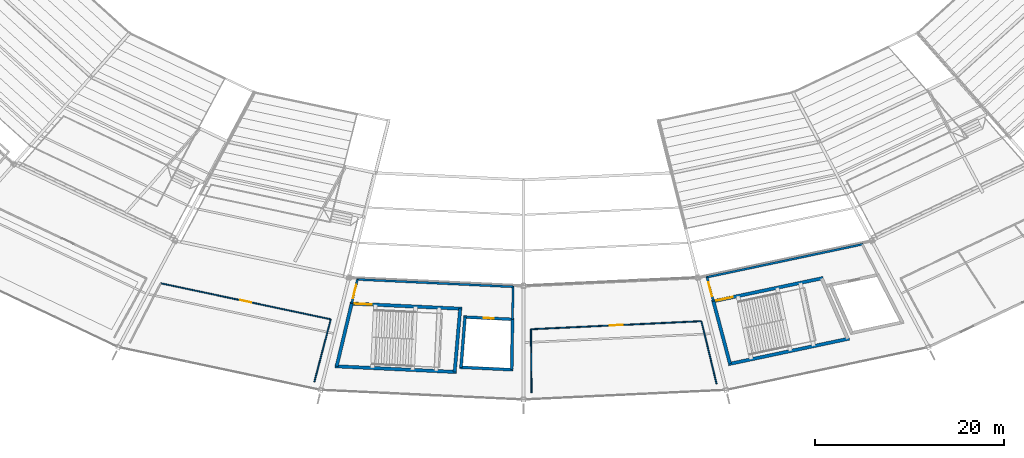
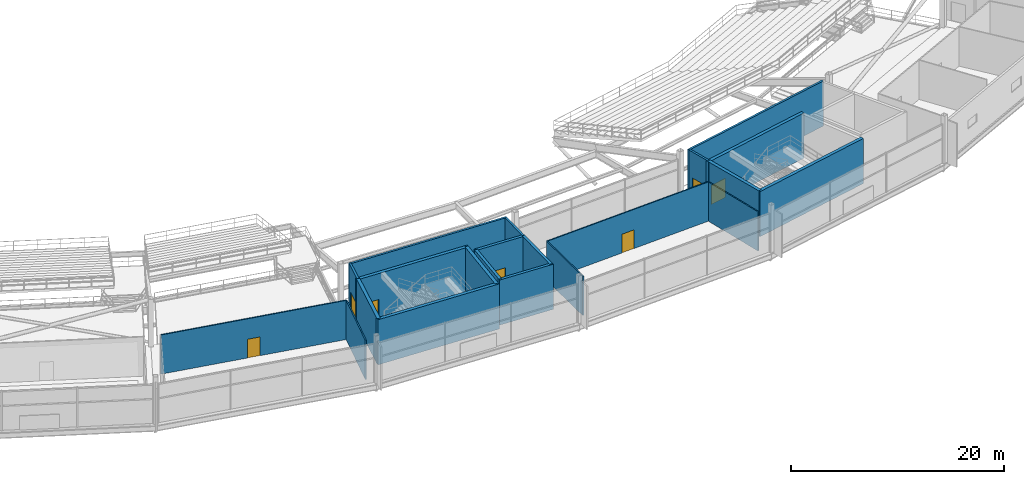
# One storey, part 126 of 186: 21 walls, 7 doors, 7 openings.
"""IFC4 building model written with IfcOpenShell, lengths in metres."""

from ifc_helpers import new_model, si_unit, direction, frame, frame_2d, origin, place, context, subcontext, project, spatial, rectangle, extrude, material, layer, layer_set, type_object, element, fill, save


model = new_model("IFC4")

# Units and contexts
model_context = context("Model", 3, precision=1e-05, world=origin(), true_north=direction((0.0, 1.0)))
body_context = subcontext(model_context, "Body", "Model", "MODEL_VIEW")
ifc_project = project(units=[si_unit("LENGTHUNIT", "METRE"), si_unit("AREAUNIT", "SQUARE_METRE"), si_unit("VOLUMEUNIT", "CUBIC_METRE"), si_unit("PLANEANGLEUNIT", "RADIAN"), si_unit("MASSUNIT", "GRAM", prefix="KILO")], contexts=[model_context])

# Site, building, storey
site_placement = place(None, origin())
site = spatial("IfcSite", under=ifc_project, at=site_placement, CompositionType="ELEMENT")
building_placement = place(site_placement, origin())
building = spatial("IfcBuilding", under=site, at=building_placement, Name="Kazemori Nagisa Stadium", CompositionType="ELEMENT")
storey_placement = place(building_placement, frame((0.0, 0.0, 20.39990234375)))
storey = spatial("IfcBuildingStorey", under=building, at=storey_placement, Name="L04", CompositionType="ELEMENT", Elevation=20.39990234375)

# Wall, opening, door
ifc_material_1 = material(Name="Concrete C40/50 (Fc42)", Category="concrete")
ifc_layer_1 = layer(ifc_material_1, 0.35009765625, Name="Concrete C40/50 (Fc42)", Category="concrete")
ifc_layer_set_1 = layer_set([ifc_layer_1], Name="Concrete C40/50 (Fc42)")
wall_type_1 = type_object("IfcWallType", Name="Wall_W-CORE-350", PredefinedType="SHEAR", material=ifc_layer_set_1)
wall_1_placement = place(storey_placement, frame((104.66748046875, 26.15478515625, 0.0), z_axis=(0.0, 0.0, 1.0), x_axis=(0.998883770468, -0.04723571843, 0.0)))
wall_1 = element("IfcWall", 1, at=wall_1_placement, inside=storey, type_object=wall_type_1, Name="Core stair front shear wall ST12 L04", PredefinedType="SHEAR", context=body_context, shape_type="SweptSolid", body=[
    extrude(rectangle(XDim=11.830810546875, YDim=0.35009765625, at=frame_2d((5.91552734375, 0.0))), origin(), (0.0, 0.0, 1.0), 5.18017578125),
])
opening_1_placement = place(wall_1_placement, frame((0.47509765625, 0.0, 0.0)))
opening_1 = element("IfcOpeningElement", 2, at=opening_1_placement, cuts=wall_1, Name="Opening D-ST-1800", PredefinedType="OPENING", context=body_context, shape_type="SweptSolid", body=[
    extrude(rectangle(XDim=1.800048828125, YDim=2.199951171875, at=frame_2d((0.89990234375, 1.10009765625))), frame((0.0, 0.18505859375, 0.0), z_axis=(0.0, -1.0, 0.0), x_axis=(1.0, 0.0, 0.0)), (0.0, 0.0, 1.0), 0.3701171875),
])
ifc_material_2 = material(Name="Galvanised steel sheet", Category="steel")
door_type_1 = type_object("IfcDoorType", Name="Door_D-ST-1800", OperationType="NOTDEFINED", PredefinedType="DOOR", material=ifc_material_2)
door_1_placement = place(opening_1_placement, frame((1.800048828125, 0.0, 0.0), z_axis=(0.0, 0.0, 1.0), x_axis=(-1.0, 0.0, 0.0)))
door_1 = element("IfcDoor", 3, at=door_1_placement, inside=storey, type_object=door_type_1, Name="Exit stair fire door ST12-L04", OperationType="SINGLE_SWING_LEFT", OverallHeight=2.199951171875, OverallWidth=1.800048828125, PredefinedType="DOOR", context=body_context, shape_type="SweptSolid", body=[
    extrude(rectangle(XDim=1.800048828125, YDim=2.199951171875, at=frame_2d((0.89990234375, 1.10009765625))), frame((0.0, 0.02490234375, 0.0), z_axis=(0.0, -1.0, 0.0), x_axis=(1.0, 0.0, 0.0)), (0.0, 0.0, 1.0), 0.050048828125),
])
fill(opening_1, door_1)

# Walls
wall_2_placement = place(storey_placement, frame((103.07958984375, 19.52197265625, 0.0), z_axis=(0.0, 0.0, 1.0), x_axis=(0.998884004857, -0.047230761603, 0.0)))
element("IfcWall", 4, at=wall_2_placement, inside=storey, type_object=wall_type_1, Name="Core stair rear shear wall ST12 L04", PredefinedType="SHEAR", context=body_context, shape_type="SweptSolid", body=[
    extrude(rectangle(XDim=12.8349609375, YDim=0.35009765625, at=frame_2d((6.41748046875, 0.0))), origin(), (0.0, 0.0, 1.0), 5.18017578125),
])
wall_3_placement = place(storey_placement, frame((104.84228515625, 26.146484375, 0.0), z_axis=(0.0, 0.0, 1.0), x_axis=(-0.232820532896, -0.972519716747, 0.0)))
element("IfcWall", 5, at=wall_3_placement, inside=storey, type_object=wall_type_1, Name="Core stair left shear wall ST12 L04", PredefinedType="SHEAR", context=body_context, shape_type="SweptSolid", body=[
    extrude(rectangle(XDim=6.8203125, YDim=0.35009765625, at=frame_2d((3.41015625, 0.0))), origin(), (0.0, 0.0, 1.0), 5.18017578125),
])
wall_4_placement = place(storey_placement, frame((116.310302734375, 25.604248046875, 0.0), z_axis=(0.0, 0.0, 1.0), x_axis=(-0.087232889326, -0.996187945631, 0.0)))
element("IfcWall", 6, at=wall_4_placement, inside=storey, type_object=wall_type_1, Name="Core stair right shear wall ST12 L04", PredefinedType="SHEAR", context=body_context, shape_type="SweptSolid", body=[
    extrude(rectangle(XDim=6.705810546875, YDim=0.35009765625, at=frame_2d((3.35302734375, 0.0))), origin(), (0.0, 0.0, 1.0), 5.18017578125),
])

# Wall, opening, door
wall_5_placement = place(storey_placement, frame((142.895751953125, 26.357177734375, 0.0), z_axis=(0.0, 0.0, 1.0), x_axis=(0.978345203961, 0.206979858648, 0.0)))
wall_5 = element("IfcWall", 7, at=wall_5_placement, inside=storey, type_object=wall_type_1, Name="Core stair front shear wall ST06 L04", PredefinedType="SHEAR", context=body_context, shape_type="SweptSolid", body=[
    extrude(rectangle(XDim=12.044189453125, YDim=0.35009765625, at=frame_2d((6.02197265625, 0.0))), origin(), (0.0, 0.0, 1.0), 5.18017578125),
])
opening_2_placement = place(wall_5_placement, frame((0.47509765625, 0.0, 0.0)))
opening_2 = element("IfcOpeningElement", 8, at=opening_2_placement, cuts=wall_5, Name="Opening D-ST-1800", PredefinedType="OPENING", context=body_context, shape_type="SweptSolid", body=[
    extrude(rectangle(XDim=1.800048828125, YDim=2.199951171875, at=frame_2d((0.89990234375, 1.10009765625))), frame((0.0, 0.18505859375, 0.0), z_axis=(0.0, -1.0, 0.0), x_axis=(1.0, 0.0, 0.0)), (0.0, 0.0, 1.0), 0.3701171875),
])
door_2_placement = place(opening_2_placement, frame((1.800048828125, 0.0, 0.0), z_axis=(0.0, 0.0, 1.0), x_axis=(-1.0, 0.0, 0.0)))
door_2 = element("IfcDoor", 9, at=door_2_placement, inside=storey, type_object=door_type_1, Name="Exit stair fire door ST06-L04", OperationType="SINGLE_SWING_LEFT", OverallHeight=2.199951171875, OverallWidth=1.800048828125, PredefinedType="DOOR", context=body_context, shape_type="SweptSolid", body=[
    extrude(rectangle(XDim=1.800048828125, YDim=2.199951171875, at=frame_2d((0.89990234375, 1.10009765625))), frame((0.0, 0.02490234375, 0.0), z_axis=(0.0, -1.0, 0.0), x_axis=(1.0, 0.0, 0.0)), (0.0, 0.0, 1.0), 0.050048828125),
])
fill(opening_2, door_2)

# Walls
wall_6_placement = place(storey_placement, frame((144.650390625, 19.745849609375, 0.0), z_axis=(0.0, 0.0, 1.0), x_axis=(0.978345119536, 0.206980257705, 0.0)))
element("IfcWall", 10, at=wall_6_placement, inside=storey, type_object=wall_type_1, Name="Core stair rear shear wall ST06 L04", PredefinedType="SHEAR", context=body_context, shape_type="SweptSolid", body=[
    extrude(rectangle(XDim=13.06689453125, YDim=0.35009765625, at=frame_2d((6.533447265625, 0.0))), origin(), (0.0, 0.0, 1.0), 5.18017578125),
])
wall_7_placement = place(storey_placement, frame((143.06689453125, 26.3935546875, 0.0), z_axis=(0.0, 0.0, 1.0), x_axis=(0.256518400663, -0.966539347425, 0.0)))
element("IfcWall", 11, at=wall_7_placement, inside=storey, type_object=wall_type_1, Name="Core stair left shear wall ST06 L04", PredefinedType="SHEAR", context=body_context, shape_type="SweptSolid", body=[
    extrude(rectangle(XDim=6.840087890625, YDim=0.35009765625, at=frame_2d((3.419921875, 0.0))), origin(), (0.0, 0.0, 1.0), 5.18017578125),
])
ifc_material_3 = material(Name="Concrete C36/45 (Fc36)", Category="concrete")
ifc_layer_2 = layer(ifc_material_3, 0.219970703125, Name="Concrete C36/45 (Fc36)", Category="concrete")
ifc_layer_set_2 = layer_set([ifc_layer_2], Name="Concrete C36/45 (Fc36)")
wall_type_2 = type_object("IfcWallType", Name="Wall_W-LOBBY-220", PredefinedType="SOLIDWALL", material=ifc_layer_set_2)
wall_8_placement = place(storey_placement, frame((105.343017578125, 28.702880859375, 0.0), z_axis=(0.0, 0.0, 1.0), x_axis=(0.998884242682, -0.047225731555, 0.0)))
element("IfcWall", 12, at=wall_8_placement, inside=storey, type_object=wall_type_2, Name="Core lobby fire wall ST12 L04", PredefinedType="SOLIDWALL", context=body_context, shape_type="SweptSolid", body=[
    extrude(rectangle(XDim=16.67724609375, YDim=0.219970703125, at=frame_2d((8.338623046875, 0.0))), origin(), (0.0, 0.0, 1.0), 5.18017578125),
])

# Wall, opening, door
wall_9_placement = place(storey_placement, frame((105.452880859375, 28.69775390625, 0.0), z_axis=(0.0, 0.0, 1.0), x_axis=(-0.232756927197, -0.972534941707, 0.0)))
wall_9 = element("IfcWall", 13, at=wall_9_placement, inside=storey, type_object=wall_type_2, Name="Core lobby left wall ST12 L04", PredefinedType="SOLIDWALL", context=body_context, shape_type="SweptSolid", body=[
    extrude(rectangle(XDim=2.623291015625, YDim=0.219970703125, at=frame_2d((1.3115234375, 0.0))), origin(), (0.0, 0.0, 1.0), 5.18017578125),
])
opening_3_placement = place(wall_9_placement, frame((0.56201171875, 0.0, 0.0)))
opening_3 = element("IfcOpeningElement", 14, at=opening_3_placement, cuts=wall_9, Name="Opening D-FFL-1500", PredefinedType="OPENING", context=body_context, shape_type="SweptSolid", body=[
    extrude(rectangle(XDim=1.5, YDim=2.199951171875, at=frame_2d((0.75, 1.10009765625))), frame((0.0, 0.119873046875, 0.0), z_axis=(0.0, -1.0, 0.0), x_axis=(1.0, 0.0, 0.0)), (0.0, 0.0, 1.0), 0.239990234375),
])
door_type_2 = type_object("IfcDoorType", Name="Door_D-FFL-1500", OperationType="NOTDEFINED", PredefinedType="DOOR", material=ifc_material_2)
door_3_placement = place(opening_3_placement, frame((1.5, 0.0, 0.0), z_axis=(0.0, 0.0, 1.0), x_axis=(-1.0, 0.0, 0.0)))
door_3 = element("IfcDoor", 15, at=door_3_placement, inside=storey, type_object=door_type_2, Name="Protected lobby fire door ST12-L04", OperationType="DOUBLE_DOOR_SINGLE_SWING", OverallHeight=2.199951171875, OverallWidth=1.5, PredefinedType="DOOR", context=body_context, shape_type="SweptSolid", body=[
    extrude(rectangle(XDim=1.5, YDim=2.199951171875, at=frame_2d((0.75, 1.10009765625))), frame((0.0, 0.02490234375, 0.0), z_axis=(0.0, -1.0, 0.0), x_axis=(1.0, 0.0, 0.0)), (0.0, 0.0, 1.0), 0.050048828125),
])
fill(opening_3, door_3)

# Walls
wall_10_placement = place(storey_placement, frame((121.891845703125, 27.92041015625, 0.0), z_axis=(0.0, 0.0, 1.0), x_axis=(-0.014984113027, -0.999887731876, 0.0)))
element("IfcWall", 16, at=wall_10_placement, inside=storey, type_object=wall_type_2, Name="Core lobby right wall ST12 L04", PredefinedType="SOLIDWALL", context=body_context, shape_type="SweptSolid", body=[
    extrude(rectangle(XDim=3.43798828125, YDim=0.219970703125, at=frame_2d((1.718994140625, 0.0))), origin(), (0.0, 0.0, 1.0), 5.18017578125),
])
wall_11_placement = place(storey_placement, frame((142.284423828125, 28.91357421875, 0.0), z_axis=(0.0, 0.0, 1.0), x_axis=(0.97834522483, 0.206979760008, 0.0)))
element("IfcWall", 17, at=wall_11_placement, inside=storey, type_object=wall_type_2, Name="Core lobby fire wall ST06 L04", PredefinedType="SOLIDWALL", context=body_context, shape_type="SweptSolid", body=[
    extrude(rectangle(XDim=16.98291015625, YDim=0.219970703125, at=frame_2d((8.491455078125, 0.0))), origin(), (0.0, 0.0, 1.0), 5.18017578125),
])

# Wall, opening, door
wall_12_placement = place(storey_placement, frame((142.39208984375, 28.936279296875, 0.0), z_axis=(0.0, 0.0, 1.0), x_axis=(0.256507243456, -0.966542308466, 0.0)))
wall_12 = element("IfcWall", 18, at=wall_12_placement, inside=storey, type_object=wall_type_2, Name="Core lobby left wall ST06 L04", PredefinedType="SOLIDWALL", context=body_context, shape_type="SweptSolid", body=[
    extrude(rectangle(XDim=2.630859375, YDim=0.219970703125, at=frame_2d((1.3154296875, 0.0))), origin(), (0.0, 0.0, 1.0), 5.18017578125),
])
opening_4_placement = place(wall_12_placement, frame((0.56494140625, 0.0, 0.0)))
opening_4 = element("IfcOpeningElement", 19, at=opening_4_placement, cuts=wall_12, Name="Opening D-FFL-1500", PredefinedType="OPENING", context=body_context, shape_type="SweptSolid", body=[
    extrude(rectangle(XDim=1.5, YDim=2.199951171875, at=frame_2d((0.75, 1.10009765625))), frame((0.0, 0.119873046875, 0.0), z_axis=(0.0, -1.0, 0.0), x_axis=(1.0, 0.0, 0.0)), (0.0, 0.0, 1.0), 0.239990234375),
])
door_4_placement = place(opening_4_placement, frame((1.5, 0.0, 0.0), z_axis=(0.0, 0.0, 1.0), x_axis=(-1.0, 0.0, 0.0)))
door_4 = element("IfcDoor", 20, at=door_4_placement, inside=storey, type_object=door_type_2, Name="Protected lobby fire door ST06-L04", OperationType="DOUBLE_DOOR_SINGLE_SWING", OverallHeight=2.199951171875, OverallWidth=1.5, PredefinedType="DOOR", context=body_context, shape_type="SweptSolid", body=[
    extrude(rectangle(XDim=1.5, YDim=2.199951171875, at=frame_2d((0.75, 1.10009765625))), frame((0.0, 0.02490234375, 0.0), z_axis=(0.0, -1.0, 0.0), x_axis=(1.0, 0.0, 0.0)), (0.0, 0.0, 1.0), 0.050048828125),
])
fill(opening_4, door_4)

ifc_material_4 = material(Name="Gypsum plasterboard", Category="gypsum")
ifc_layer_3 = layer(ifc_material_4, 0.125, Name="Gypsum plasterboard", Category="gypsum")
ifc_layer_set_3 = layer_set([ifc_layer_3], Name="Gypsum plasterboard")
wall_type_3 = type_object("IfcWallType", Name="Wall_W-PART-125", PredefinedType="PARTITIONING", material=ifc_layer_set_3)
wall_13_placement = place(storey_placement, frame((84.657958984375, 28.290283203125, 0.0), z_axis=(0.0, 0.0, 1.0), x_axis=(0.978344735835, -0.20698207136, 0.0)))
wall_13 = element("IfcWall", 21, at=wall_13_placement, inside=storey, type_object=wall_type_3, Name="Room corridor partition L04-B20", PredefinedType="PARTITIONING", context=body_context, shape_type="SweptSolid", body=[
    extrude(rectangle(XDim=18.37353515625, YDim=0.125, at=frame_2d((9.186767578125, 0.0))), origin(), (0.0, 0.0, 1.0), 4.5),
])
opening_5_placement = place(wall_13_placement, frame((8.576904296875, 0.0, 0.0)))
opening_5 = element("IfcOpeningElement", 22, at=opening_5_placement, cuts=wall_13, Name="Opening D-BEV-1220", PredefinedType="OPENING", context=body_context, shape_type="SweptSolid", body=[
    extrude(rectangle(XDim=1.219970703125, YDim=2.14990234375, at=frame_2d((0.60986328125, 1.074951171875))), frame((0.0, 0.072509765625, 0.0), z_axis=(0.0, -1.0, 0.0), x_axis=(1.0, 0.0, 0.0)), (0.0, 0.0, 1.0), 0.14501953125),
])
ifc_material_5 = material(Name="Anodised aluminium 6063-T5", Category="aluminium")
door_type_3 = type_object("IfcDoorType", Name="Door_D-BEV-1220", OperationType="NOTDEFINED", PredefinedType="DOOR", material=ifc_material_5)
door_5_placement = place(opening_5_placement, origin())
door_5 = element("IfcDoor", 23, at=door_5_placement, inside=storey, type_object=door_type_3, Name="Room entrance door D-BEV-1220 L04-B20", OperationType="SINGLE_SWING_RIGHT", OverallHeight=2.14990234375, OverallWidth=1.219970703125, PredefinedType="DOOR", context=body_context, shape_type="SweptSolid", body=[
    extrude(rectangle(XDim=1.219970703125, YDim=2.14990234375, at=frame_2d((0.60986328125, 1.074951171875))), frame((0.0, 0.02490234375, 0.0), z_axis=(0.0, -1.0, 0.0), x_axis=(1.0, 0.0, 0.0)), (0.0, 0.0, 1.0), 0.050048828125),
])
fill(opening_5, door_5)

# Wall
wall_14_placement = place(storey_placement, frame((102.633544921875, 24.4873046875, 0.0), z_axis=(0.0, 0.0, 1.0), x_axis=(-0.254126047026, -0.967171108038, 0.0)))
element("IfcWall", 24, at=wall_14_placement, inside=storey, type_object=wall_type_3, Name="Room radial partition L04-B20-R", PredefinedType="PARTITIONING", context=body_context, shape_type="SweptSolid", body=[
    extrude(rectangle(XDim=6.83935546875, YDim=0.125, at=frame_2d((3.419677734375, 0.0))), origin(), (0.0, 0.0, 1.0), 4.5),
])

# Wall, opening, door
wall_15_placement = place(storey_placement, frame((123.783447265625, 23.43310546875, 0.0), z_axis=(0.0, 0.0, 1.0), x_axis=(0.998884400119, 0.047222401453, 0.0)))
wall_15 = element("IfcWall", 25, at=wall_15_placement, inside=storey, type_object=wall_type_3, Name="Room corridor partition L04-B22", PredefinedType="PARTITIONING", context=body_context, shape_type="SweptSolid", body=[
    extrude(rectangle(XDim=18.0380859375, YDim=0.125, at=frame_2d((9.01904296875, 0.0))), origin(), (0.0, 0.0, 1.0), 4.5),
])
opening_6_placement = place(wall_15_placement, frame((8.343994140625, 0.0, 0.0)))
opening_6 = element("IfcOpeningElement", 26, at=opening_6_placement, cuts=wall_15, Name="Opening D-CON-1350", PredefinedType="OPENING", context=body_context, shape_type="SweptSolid", body=[
    extrude(rectangle(XDim=1.35009765625, YDim=2.14990234375, at=frame_2d((0.675048828125, 1.074951171875))), frame((0.0, 0.072509765625, 0.0), z_axis=(0.0, -1.0, 0.0), x_axis=(1.0, 0.0, 0.0)), (0.0, 0.0, 1.0), 0.14501953125),
])
door_type_4 = type_object("IfcDoorType", Name="Door_D-CON-1350", OperationType="NOTDEFINED", PredefinedType="DOOR", material=ifc_material_5)
door_6_placement = place(opening_6_placement, origin())
door_6 = element("IfcDoor", 27, at=door_6_placement, inside=storey, type_object=door_type_4, Name="Room entrance door D-CON-1350 L04-B22", OperationType="SINGLE_SWING_LEFT", OverallHeight=2.14990234375, OverallWidth=1.35009765625, PredefinedType="DOOR", context=body_context, shape_type="SweptSolid", body=[
    extrude(rectangle(XDim=1.35009765625, YDim=2.14990234375, at=frame_2d((0.675048828125, 1.074951171875))), frame((0.0, 0.02490234375, 0.0), z_axis=(0.0, -1.0, 0.0), x_axis=(1.0, 0.0, 0.0)), (0.0, 0.0, 1.0), 0.050048828125),
])
fill(opening_6, door_6)

# Walls
wall_16_placement = place(storey_placement, frame((123.783447265625, 23.43310546875, 0.0), z_axis=(0.0, 0.0, 1.0), x_axis=(0.009976563515, -0.999950232852, 0.0)))
element("IfcWall", 28, at=wall_16_placement, inside=storey, type_object=wall_type_3, Name="Room radial partition L04-B22-L", PredefinedType="PARTITIONING", context=body_context, shape_type="SweptSolid", body=[
    extrude(rectangle(XDim=6.705078125, YDim=0.125, at=frame_2d((3.3525390625, 0.0))), origin(), (0.0, 0.0, 1.0), 4.5),
])
wall_17_placement = place(storey_placement, frame((141.801513671875, 24.284912109375, 0.0), z_axis=(0.0, 0.0, 1.0), x_axis=(0.235145319277, -0.971960224918, 0.0)))
element("IfcWall", 29, at=wall_17_placement, inside=storey, type_object=wall_type_3, Name="Room radial partition L04-B22-R", PredefinedType="PARTITIONING", context=body_context, shape_type="SweptSolid", body=[
    extrude(rectangle(XDim=6.823486328125, YDim=0.125, at=frame_2d((3.41162109375, 0.0))), origin(), (0.0, 0.0, 1.0), 4.5),
])

# Wall, opening, door
ifc_layer_4 = layer(ifc_material_1, 0.300048828125, Name="Concrete C40/50 (Fc42)", Category="concrete")
ifc_layer_set_4 = layer_set([ifc_layer_4], Name="Concrete C40/50 (Fc42)")
wall_type_4 = type_object("IfcWallType", Name="Wall_W-SHAFT-300", PredefinedType="SHEAR", material=ifc_layer_set_4)
wall_18_placement = place(storey_placement, frame((116.665283203125, 24.7275390625, 0.0), z_axis=(0.0, 0.0, 1.0), x_axis=(0.998882494219, -0.047262699282, 0.0)))
wall_18 = element("IfcWall", 30, at=wall_18_placement, inside=storey, type_object=wall_type_4, Name="Lift shaft front wall LP4 L04", PredefinedType="SHEAR", context=body_context, shape_type="SweptSolid", body=[
    extrude(rectangle(XDim=5.330810546875, YDim=0.300048828125, at=frame_2d((2.66552734375, 0.0))), origin(), (0.0, 0.0, 1.0), 5.18017578125),
])
opening_7_placement = place(wall_18_placement, frame((2.114990234375, 0.0, 0.0)))
opening_7 = element("IfcOpeningElement", 31, at=opening_7_placement, cuts=wall_18, Name="Opening LD-PAX", PredefinedType="OPENING", context=body_context, shape_type="SweptSolid", body=[
    extrude(rectangle(XDim=1.10009765625, YDim=2.199951171875, at=frame_2d((0.550048828125, 1.10009765625))), frame((0.0, 0.159912109375, 0.0), z_axis=(0.0, -1.0, 0.0), x_axis=(1.0, 0.0, 0.0)), (0.0, 0.0, 1.0), 0.320068359375),
])
ifc_material_6 = material(Name="Stainless steel SUS304", Category="steel")
door_type_5 = type_object("IfcDoorType", Name="Door_LD-PAX", OperationType="SLIDING_TO_RIGHT", PredefinedType="DOOR", material=ifc_material_6)
door_7_placement = place(opening_7_placement, origin())
door_7 = element("IfcDoor", 32, at=door_7_placement, inside=storey, type_object=door_type_5, Name="Lift landing door LP4-L04", OperationType="SLIDING_TO_RIGHT", OverallHeight=2.199951171875, OverallWidth=1.10009765625, PredefinedType="DOOR", context=body_context, shape_type="SweptSolid", body=[
    extrude(rectangle(XDim=1.10009765625, YDim=2.199951171875, at=frame_2d((0.550048828125, 1.10009765625))), frame((0.0, 0.02490234375, 0.0), z_axis=(0.0, -1.0, 0.0), x_axis=(1.0, 0.0, 0.0)), (0.0, 0.0, 1.0), 0.050048828125),
])
fill(opening_7, door_7)

# Walls
wall_19_placement = place(storey_placement, frame((116.240234375, 19.41552734375, 0.0), z_axis=(0.0, 0.0, 1.0), x_axis=(0.998884329444, -0.047223896393, 0.0)))
element("IfcWall", 33, at=wall_19_placement, inside=storey, type_object=wall_type_4, Name="Lift shaft B wall LP4 L04", PredefinedType="SHEAR", context=body_context, shape_type="SweptSolid", body=[
    extrude(rectangle(XDim=5.676513671875, YDim=0.300048828125, at=frame_2d((2.83837890625, 0.0))), origin(), (0.0, 0.0, 1.0), 5.18017578125),
])
wall_20_placement = place(storey_placement, frame((116.815185546875, 24.720458984375, 0.0), z_axis=(0.0, 0.0, 1.0), x_axis=(-0.079807132276, -0.996810323802, 0.0)))
element("IfcWall", 34, at=wall_20_placement, inside=storey, type_object=wall_type_4, Name="Lift shaft L wall LP4 L04", PredefinedType="SHEAR", context=body_context, shape_type="SweptSolid", body=[
    extrude(rectangle(XDim=5.3291015625, YDim=0.300048828125, at=frame_2d((2.66455078125, 0.0))), origin(), (0.0, 0.0, 1.0), 5.18017578125),
])
wall_21_placement = place(storey_placement, frame((121.84033203125, 24.48291015625, 0.0), z_axis=(0.0, 0.0, 1.0), x_axis=(-0.014935332807, -0.999888461697, 0.0)))
element("IfcWall", 35, at=wall_21_placement, inside=storey, type_object=wall_type_4, Name="Lift shaft R wall LP4 L04", PredefinedType="SHEAR", context=body_context, shape_type="SweptSolid", body=[
    extrude(rectangle(XDim=5.328857421875, YDim=0.300048828125, at=frame_2d((2.66455078125, 0.0))), origin(), (0.0, 0.0, 1.0), 5.18017578125),
])

save(model, "model.ifc")
